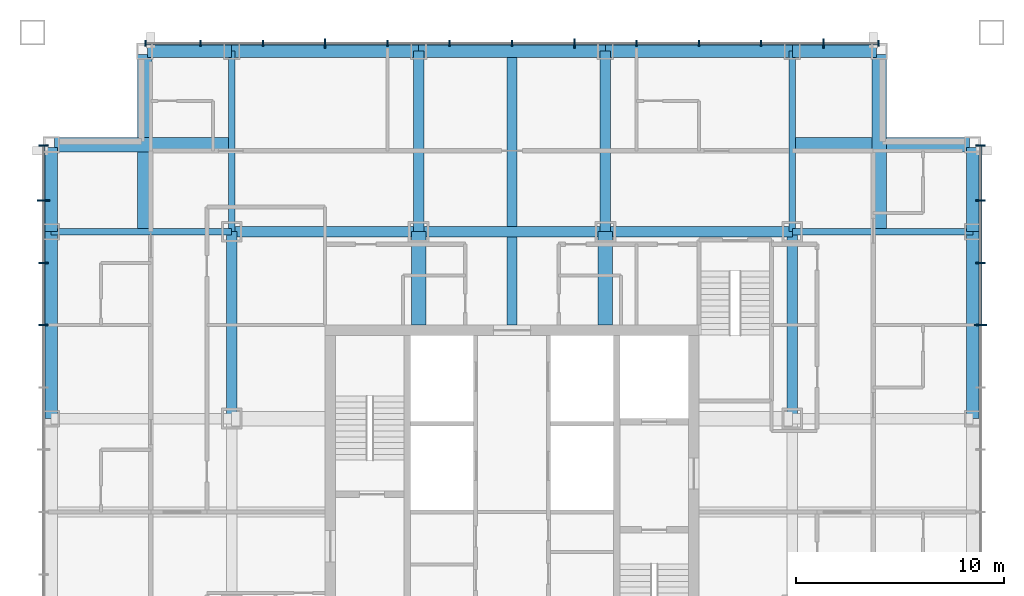
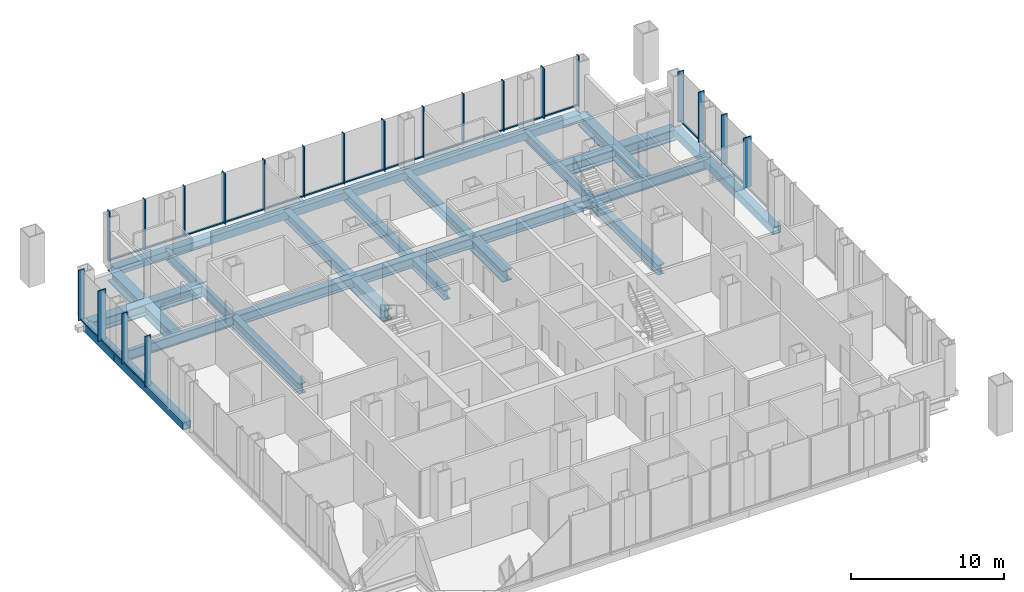
# One storey, part 4 of 11: 39 members, 27 beams, 3 elements without a shape of their own.
"""IFC4 building model written with IfcOpenShell, lengths in metres."""

from ifc_helpers import new_model, si_unit, direction, frame, origin, origin_2d, place, context, subcontext, project, spatial, rectangle, hollow_rectangle, i_section, extrude, material, layer, layer_set, material_profile, profile_set, type_object, element, aggregate, save


model = new_model("IFC4")

# Units and contexts
model_context = context("Model", 3, precision=1e-05, world=origin(), true_north=direction((0.0, 1.0)))
body_context = subcontext(model_context, "Body", "Model", "MODEL_VIEW")
ifc_project = project(units=[si_unit("LENGTHUNIT", "METRE"), si_unit("AREAUNIT", "SQUARE_METRE"), si_unit("VOLUMEUNIT", "CUBIC_METRE"), si_unit("PLANEANGLEUNIT", "RADIAN"), si_unit("MASSUNIT", "GRAM", prefix="KILO")], contexts=[model_context])

# Site, building, storey
site_placement = place(None, origin())
site = spatial("IfcSite", under=ifc_project, at=site_placement, CompositionType="ELEMENT")
building_placement = place(site_placement, origin())
building = spatial("IfcBuilding", under=site, at=building_placement, Name="Malebo Sky Hospital", CompositionType="ELEMENT")
storey_placement = place(building_placement, frame((0.0, 0.0, 205.0)))
storey = spatial("IfcBuildingStorey", under=building, at=storey_placement, Name="L49", CompositionType="ELEMENT", Elevation=205.0)

# Curtain wall, members
ifc_material_1 = material(Name="Anodised aluminium, natural silver", Category="aluminium")
ifc_layer_1 = layer(ifc_material_1, 0.25)
ifc_layer_set_1 = layer_set([ifc_layer_1], Name="WARD CURTAIN WALL NORTH AND SOUTH")
curtain_wall_type_1 = type_object("IfcCurtainWallType", Name="WARD CURTAIN WALL NORTH AND SOUTH", PredefinedType="NOTDEFINED", material=ifc_layer_set_1)
curtain_wall_1_placement = place(storey_placement, origin())
curtain_wall_1 = element("IfcCurtainWall", 1, at=curtain_wall_1_placement, inside=storey, type_object=curtain_wall_type_1, Name="NS curtain wall N", PredefinedType="NOTDEFINED")
ifc_material_profile_1 = material_profile(ifc_material_1, rectangle(XDim=0.14990234375, YDim=0.10009765625, at=origin_2d()), Name="ALUMINIUM TRANSOM 150x100")
ifc_profile_set_1 = profile_set([ifc_material_profile_1], Name="Anodised aluminium, natural silver")
member_type_1 = type_object("IfcMemberType", Name="ALUMINIUM TRANSOM 150x100", PredefinedType="USERDEFINED", material=ifc_profile_set_1)
member_1_placement = place(storey_placement, frame((42.375, 84.574951171875, 0.050048828125), z_axis=(1.0, 0.0, 0.0), x_axis=(0.0, 1.0, 0.0)))
member_1 = element("IfcMember", 2, at=member_1_placement, type_object=member_type_1, Name="Transom 1", ObjectType="TRANSOM", PredefinedType="USERDEFINED", context=body_context, shape_type="SweptSolid", body=[
    extrude(rectangle(XDim=0.14990234375, YDim=0.10009765625, at=origin_2d()), origin(), (0.0, 0.0, 1.0), 2.58740234375),
])
member_2_placement = place(storey_placement, frame((45.03759765625, 84.574951171875, 0.050048828125), z_axis=(1.0, 0.0, 0.0), x_axis=(0.0, 1.0, 0.0)))
member_2 = element("IfcMember", 3, at=member_2_placement, type_object=member_type_1, Name="Transom 2", ObjectType="TRANSOM", PredefinedType="USERDEFINED", context=body_context, shape_type="SweptSolid", body=[
    extrude(rectangle(XDim=0.14990234375, YDim=0.10009765625, at=origin_2d()), origin(), (0.0, 0.0, 1.0), 2.9248046875),
])
member_3_placement = place(storey_placement, frame((48.03759765625, 84.574951171875, 0.050048828125), z_axis=(1.0, 0.0, 0.0), x_axis=(0.0, 1.0, 0.0)))
member_3 = element("IfcMember", 4, at=member_3_placement, type_object=member_type_1, Name="Transom 3", ObjectType="TRANSOM", PredefinedType="USERDEFINED", context=body_context, shape_type="SweptSolid", body=[
    extrude(rectangle(XDim=0.14990234375, YDim=0.10009765625, at=origin_2d()), origin(), (0.0, 0.0, 1.0), 2.9248046875),
])
member_4_placement = place(storey_placement, frame((51.03759765625, 84.574951171875, 0.050048828125), z_axis=(1.0, 0.0, 0.0), x_axis=(0.0, 1.0, 0.0)))
member_4 = element("IfcMember", 5, at=member_4_placement, type_object=member_type_1, Name="Transom 4", ObjectType="TRANSOM", PredefinedType="USERDEFINED", context=body_context, shape_type="SweptSolid", body=[
    extrude(rectangle(XDim=0.14990234375, YDim=0.10009765625, at=origin_2d()), origin(), (0.0, 0.0, 1.0), 2.9248046875),
])
member_5_placement = place(storey_placement, frame((54.03759765625, 84.574951171875, 0.050048828125), z_axis=(1.0, 0.0, 0.0), x_axis=(0.0, 1.0, 0.0)))
member_5 = element("IfcMember", 6, at=member_5_placement, type_object=member_type_1, Name="Transom 5", ObjectType="TRANSOM", PredefinedType="USERDEFINED", context=body_context, shape_type="SweptSolid", body=[
    extrude(rectangle(XDim=0.14990234375, YDim=0.10009765625, at=origin_2d()), origin(), (0.0, 0.0, 1.0), 2.9248046875),
])
member_6_placement = place(storey_placement, frame((57.03759765625, 84.574951171875, 0.050048828125), z_axis=(1.0, 0.0, 0.0), x_axis=(0.0, 1.0, 0.0)))
member_6 = element("IfcMember", 7, at=member_6_placement, type_object=member_type_1, Name="Transom 6", ObjectType="TRANSOM", PredefinedType="USERDEFINED", context=body_context, shape_type="SweptSolid", body=[
    extrude(rectangle(XDim=0.14990234375, YDim=0.10009765625, at=origin_2d()), origin(), (0.0, 0.0, 1.0), 2.9248046875),
])
member_7_placement = place(storey_placement, frame((60.03759765625, 84.574951171875, 0.050048828125), z_axis=(1.0, 0.0, 0.0), x_axis=(0.0, 1.0, 0.0)))
member_7 = element("IfcMember", 8, at=member_7_placement, type_object=member_type_1, Name="Transom 7", ObjectType="TRANSOM", PredefinedType="USERDEFINED", context=body_context, shape_type="SweptSolid", body=[
    extrude(rectangle(XDim=0.14990234375, YDim=0.10009765625, at=origin_2d()), origin(), (0.0, 0.0, 1.0), 2.9248046875),
])
member_8_placement = place(storey_placement, frame((63.03759765625, 84.574951171875, 0.050048828125), z_axis=(1.0, 0.0, 0.0), x_axis=(0.0, 1.0, 0.0)))
member_8 = element("IfcMember", 9, at=member_8_placement, type_object=member_type_1, Name="Transom 8", ObjectType="TRANSOM", PredefinedType="USERDEFINED", context=body_context, shape_type="SweptSolid", body=[
    extrude(rectangle(XDim=0.14990234375, YDim=0.10009765625, at=origin_2d()), origin(), (0.0, 0.0, 1.0), 2.9248046875),
])
member_9_placement = place(storey_placement, frame((66.03759765625, 84.574951171875, 0.050048828125), z_axis=(1.0, 0.0, 0.0), x_axis=(0.0, 1.0, 0.0)))
member_9 = element("IfcMember", 10, at=member_9_placement, type_object=member_type_1, Name="Transom 9", ObjectType="TRANSOM", PredefinedType="USERDEFINED", context=body_context, shape_type="SweptSolid", body=[
    extrude(rectangle(XDim=0.14990234375, YDim=0.10009765625, at=origin_2d()), origin(), (0.0, 0.0, 1.0), 2.9248046875),
])
member_10_placement = place(storey_placement, frame((69.03759765625, 84.574951171875, 0.050048828125), z_axis=(1.0, 0.0, 0.0), x_axis=(0.0, 1.0, 0.0)))
member_10 = element("IfcMember", 11, at=member_10_placement, type_object=member_type_1, Name="Transom 10", ObjectType="TRANSOM", PredefinedType="USERDEFINED", context=body_context, shape_type="SweptSolid", body=[
    extrude(rectangle(XDim=0.14990234375, YDim=0.10009765625, at=origin_2d()), origin(), (0.0, 0.0, 1.0), 2.9248046875),
])
member_11_placement = place(storey_placement, frame((72.03759765625, 84.574951171875, 0.050048828125), z_axis=(1.0, 0.0, 0.0), x_axis=(0.0, 1.0, 0.0)))
member_11 = element("IfcMember", 12, at=member_11_placement, type_object=member_type_1, Name="Transom 11", ObjectType="TRANSOM", PredefinedType="USERDEFINED", context=body_context, shape_type="SweptSolid", body=[
    extrude(rectangle(XDim=0.14990234375, YDim=0.10009765625, at=origin_2d()), origin(), (0.0, 0.0, 1.0), 2.9248046875),
])
member_12_placement = place(storey_placement, frame((75.03759765625, 84.574951171875, 0.050048828125), z_axis=(1.0, 0.0, 0.0), x_axis=(0.0, 1.0, 0.0)))
member_12 = element("IfcMember", 13, at=member_12_placement, type_object=member_type_1, Name="Transom 12", ObjectType="TRANSOM", PredefinedType="USERDEFINED", context=body_context, shape_type="SweptSolid", body=[
    extrude(rectangle(XDim=0.14990234375, YDim=0.10009765625, at=origin_2d()), origin(), (0.0, 0.0, 1.0), 2.58740234375),
])

ifc_layer_2 = layer(ifc_material_1, 0.25)
ifc_layer_set_2 = layer_set([ifc_layer_2], Name="WARD CURTAIN WALL EAST AND WEST")
curtain_wall_type_2 = type_object("IfcCurtainWallType", Name="WARD CURTAIN WALL EAST AND WEST", PredefinedType="NOTDEFINED", material=ifc_layer_set_2)
curtain_wall_2_placement = place(storey_placement, origin())
curtain_wall_2 = element("IfcCurtainWall", 14, at=curtain_wall_2_placement, inside=storey, type_object=curtain_wall_type_2, Name="EW curtain wall W", PredefinedType="NOTDEFINED")
member_13_placement = place(storey_placement, frame((37.425048828125, 71.03759765625, 0.050048828125), z_axis=(0.0, 1.0, 0.0), x_axis=(-1.0, 0.0, 0.0)))
member_13 = element("IfcMember", 15, at=member_13_placement, type_object=member_type_1, Name="Transom 10", ObjectType="TRANSOM", PredefinedType="USERDEFINED", context=body_context, shape_type="SweptSolid", body=[
    extrude(rectangle(XDim=0.14990234375, YDim=0.10009765625, at=origin_2d()), origin(), (0.0, 0.0, 1.0), 2.9248046875),
])
member_14_placement = place(storey_placement, frame((37.425048828125, 74.03759765625, 0.050048828125), z_axis=(0.0, 1.0, 0.0), x_axis=(-1.0, 0.0, 0.0)))
member_14 = element("IfcMember", 16, at=member_14_placement, type_object=member_type_1, Name="Transom 11", ObjectType="TRANSOM", PredefinedType="USERDEFINED", context=body_context, shape_type="SweptSolid", body=[
    extrude(rectangle(XDim=0.14990234375, YDim=0.10009765625, at=origin_2d()), origin(), (0.0, 0.0, 1.0), 2.9248046875),
])
member_15_placement = place(storey_placement, frame((37.425048828125, 77.03759765625, 0.050048828125), z_axis=(0.0, 1.0, 0.0), x_axis=(-1.0, 0.0, 0.0)))
member_15 = element("IfcMember", 17, at=member_15_placement, type_object=member_type_1, Name="Transom 12", ObjectType="TRANSOM", PredefinedType="USERDEFINED", context=body_context, shape_type="SweptSolid", body=[
    extrude(rectangle(XDim=0.14990234375, YDim=0.10009765625, at=origin_2d()), origin(), (0.0, 0.0, 1.0), 2.58740234375),
])

curtain_wall_3_placement = place(storey_placement, origin())
curtain_wall_3 = element("IfcCurtainWall", 18, at=curtain_wall_3_placement, inside=storey, type_object=curtain_wall_type_2, Name="EW curtain wall E", PredefinedType="NOTDEFINED")
member_16_placement = place(storey_placement, frame((82.574951171875, 79.625, 0.050048828125), z_axis=(0.0, -1.0, 0.0), x_axis=(1.0, 0.0, 0.0)))
member_16 = element("IfcMember", 19, at=member_16_placement, type_object=member_type_1, Name="Transom 1", ObjectType="TRANSOM", PredefinedType="USERDEFINED", context=body_context, shape_type="SweptSolid", body=[
    extrude(rectangle(XDim=0.14990234375, YDim=0.10009765625, at=origin_2d()), origin(), (0.0, 0.0, 1.0), 2.58740234375),
])
member_17_placement = place(storey_placement, frame((82.574951171875, 76.96240234375, 0.050048828125), z_axis=(0.0, -1.0, 0.0), x_axis=(1.0, 0.0, 0.0)))
member_17 = element("IfcMember", 20, at=member_17_placement, type_object=member_type_1, Name="Transom 2", ObjectType="TRANSOM", PredefinedType="USERDEFINED", context=body_context, shape_type="SweptSolid", body=[
    extrude(rectangle(XDim=0.14990234375, YDim=0.10009765625, at=origin_2d()), origin(), (0.0, 0.0, 1.0), 2.9248046875),
])
member_18_placement = place(storey_placement, frame((82.574951171875, 73.96240234375, 0.050048828125), z_axis=(0.0, -1.0, 0.0), x_axis=(1.0, 0.0, 0.0)))
member_18 = element("IfcMember", 21, at=member_18_placement, type_object=member_type_1, Name="Transom 3", ObjectType="TRANSOM", PredefinedType="USERDEFINED", context=body_context, shape_type="SweptSolid", body=[
    extrude(rectangle(XDim=0.14990234375, YDim=0.10009765625, at=origin_2d()), origin(), (0.0, 0.0, 1.0), 2.9248046875),
])

# Member
ifc_material_profile_2 = material_profile(ifc_material_1, rectangle(XDim=0.074951171875, YDim=0.300048828125, at=origin_2d()), Name="CW1 ALUMINIUM FIN MULLION 75x300")
ifc_profile_set_2 = profile_set([ifc_material_profile_2], Name="Anodised aluminium, natural silver")
member_type_2 = type_object("IfcMemberType", Name="CW1 ALUMINIUM FIN MULLION 75x300", PredefinedType="MULLION", material=ifc_profile_set_2)
member_19_placement = place(storey_placement, frame((42.33740234375, 84.574951171875, 0.0), z_axis=(0.0, 0.0, 1.0), x_axis=(1.0, 0.0, 0.0)))
member_19 = element("IfcMember", 22, at=member_19_placement, type_object=member_type_2, Name="Fin mullion 1", PredefinedType="MULLION", context=body_context, shape_type="SweptSolid", body=[
    extrude(rectangle(XDim=0.074951171875, YDim=0.300048828125, at=origin_2d()), origin(), (0.0, 0.0, 1.0), 4.0),
])

member_20_placement = place(storey_placement, frame((45.0, 84.574951171875, 0.0), z_axis=(0.0, 0.0, 1.0), x_axis=(1.0, 0.0, 0.0)))
member_20 = element("IfcMember", 23, at=member_20_placement, type_object=member_type_2, Name="Fin mullion 2", PredefinedType="MULLION", context=body_context, shape_type="SweptSolid", body=[
    extrude(rectangle(XDim=0.074951171875, YDim=0.300048828125, at=origin_2d()), origin(), (0.0, 0.0, 1.0), 4.0),
])

member_21_placement = place(storey_placement, frame((48.0, 84.574951171875, 0.0), z_axis=(0.0, 0.0, 1.0), x_axis=(1.0, 0.0, 0.0)))
member_21 = element("IfcMember", 24, at=member_21_placement, type_object=member_type_2, Name="Fin mullion 3", PredefinedType="MULLION", context=body_context, shape_type="SweptSolid", body=[
    extrude(rectangle(XDim=0.074951171875, YDim=0.300048828125, at=origin_2d()), origin(), (0.0, 0.0, 1.0), 4.0),
])

member_22_placement = place(storey_placement, frame((54.0, 84.574951171875, 0.0), z_axis=(0.0, 0.0, 1.0), x_axis=(1.0, 0.0, 0.0)))
member_22 = element("IfcMember", 25, at=member_22_placement, type_object=member_type_2, Name="Fin mullion 5", PredefinedType="MULLION", context=body_context, shape_type="SweptSolid", body=[
    extrude(rectangle(XDim=0.074951171875, YDim=0.300048828125, at=origin_2d()), origin(), (0.0, 0.0, 1.0), 4.0),
])

member_23_placement = place(storey_placement, frame((57.0, 84.574951171875, 0.0), z_axis=(0.0, 0.0, 1.0), x_axis=(1.0, 0.0, 0.0)))
member_23 = element("IfcMember", 26, at=member_23_placement, type_object=member_type_2, Name="Fin mullion 6", PredefinedType="MULLION", context=body_context, shape_type="SweptSolid", body=[
    extrude(rectangle(XDim=0.074951171875, YDim=0.300048828125, at=origin_2d()), origin(), (0.0, 0.0, 1.0), 4.0),
])

member_24_placement = place(storey_placement, frame((60.0, 84.574951171875, 0.0), z_axis=(0.0, 0.0, 1.0), x_axis=(1.0, 0.0, 0.0)))
member_24 = element("IfcMember", 27, at=member_24_placement, type_object=member_type_2, Name="Fin mullion 7", PredefinedType="MULLION", context=body_context, shape_type="SweptSolid", body=[
    extrude(rectangle(XDim=0.074951171875, YDim=0.300048828125, at=origin_2d()), origin(), (0.0, 0.0, 1.0), 4.0),
])

member_25_placement = place(storey_placement, frame((66.0, 84.574951171875, 0.0), z_axis=(0.0, 0.0, 1.0), x_axis=(1.0, 0.0, 0.0)))
member_25 = element("IfcMember", 28, at=member_25_placement, type_object=member_type_2, Name="Fin mullion 9", PredefinedType="MULLION", context=body_context, shape_type="SweptSolid", body=[
    extrude(rectangle(XDim=0.074951171875, YDim=0.300048828125, at=origin_2d()), origin(), (0.0, 0.0, 1.0), 4.0),
])

member_26_placement = place(storey_placement, frame((69.0, 84.574951171875, 0.0), z_axis=(0.0, 0.0, 1.0), x_axis=(1.0, 0.0, 0.0)))
member_26 = element("IfcMember", 29, at=member_26_placement, type_object=member_type_2, Name="Fin mullion 10", PredefinedType="MULLION", context=body_context, shape_type="SweptSolid", body=[
    extrude(rectangle(XDim=0.074951171875, YDim=0.300048828125, at=origin_2d()), origin(), (0.0, 0.0, 1.0), 4.0),
])

member_27_placement = place(storey_placement, frame((72.0, 84.574951171875, 0.0), z_axis=(0.0, 0.0, 1.0), x_axis=(1.0, 0.0, 0.0)))
member_27 = element("IfcMember", 30, at=member_27_placement, type_object=member_type_2, Name="Fin mullion 11", PredefinedType="MULLION", context=body_context, shape_type="SweptSolid", body=[
    extrude(rectangle(XDim=0.074951171875, YDim=0.300048828125, at=origin_2d()), origin(), (0.0, 0.0, 1.0), 4.0),
])

member_28_placement = place(storey_placement, frame((77.66259765625, 84.574951171875, 0.0), z_axis=(0.0, 0.0, 1.0), x_axis=(1.0, 0.0, 0.0)))
member_28 = element("IfcMember", 31, at=member_28_placement, type_object=member_type_2, Name="Fin mullion 13", PredefinedType="MULLION", context=body_context, shape_type="SweptSolid", body=[
    extrude(rectangle(XDim=0.074951171875, YDim=0.300048828125, at=origin_2d()), origin(), (0.0, 0.0, 1.0), 4.0),
])

ifc_material_profile_3 = material_profile(ifc_material_1, rectangle(XDim=0.074951171875, YDim=0.449951171875, at=origin_2d()), Name="CW1 ALUMINIUM FIN MULLION 75x450")
ifc_profile_set_3 = profile_set([ifc_material_profile_3], Name="Anodised aluminium, natural silver")
member_type_3 = type_object("IfcMemberType", Name="CW1 ALUMINIUM FIN MULLION 75x450", PredefinedType="MULLION", material=ifc_profile_set_3)
member_29_placement = place(storey_placement, frame((51.0, 84.574951171875, 0.0), z_axis=(0.0, 0.0, 1.0), x_axis=(1.0, 0.0, 0.0)))
member_29 = element("IfcMember", 32, at=member_29_placement, type_object=member_type_3, Name="Fin mullion 4", PredefinedType="MULLION", context=body_context, shape_type="SweptSolid", body=[
    extrude(rectangle(XDim=0.074951171875, YDim=0.449951171875, at=origin_2d()), origin(), (0.0, 0.0, 1.0), 4.0),
])

member_30_placement = place(storey_placement, frame((63.0, 84.574951171875, 0.0), z_axis=(0.0, 0.0, 1.0), x_axis=(1.0, 0.0, 0.0)))
member_30 = element("IfcMember", 33, at=member_30_placement, type_object=member_type_3, Name="Fin mullion 8", PredefinedType="MULLION", context=body_context, shape_type="SweptSolid", body=[
    extrude(rectangle(XDim=0.074951171875, YDim=0.449951171875, at=origin_2d()), origin(), (0.0, 0.0, 1.0), 4.0),
])

member_31_placement = place(storey_placement, frame((75.0, 84.574951171875, 0.0), z_axis=(0.0, 0.0, 1.0), x_axis=(1.0, 0.0, 0.0)))
member_31 = element("IfcMember", 34, at=member_31_placement, type_object=member_type_3, Name="Fin mullion 12", PredefinedType="MULLION", context=body_context, shape_type="SweptSolid", body=[
    extrude(rectangle(XDim=0.074951171875, YDim=0.449951171875, at=origin_2d()), origin(), (0.0, 0.0, 1.0), 4.0),
])

aggregate(curtain_wall_1, [member_19, member_20, member_21, member_29, member_22, member_23, member_24, member_30, member_25, member_26, member_27, member_31, member_28, member_1, member_2, member_3, member_4, member_5, member_6, member_7, member_8, member_9, member_10, member_11, member_12])

ifc_material_profile_4 = material_profile(ifc_material_1, rectangle(XDim=0.074951171875, YDim=0.449951171875, at=origin_2d()), Name="CW2 ALUMINIUM FIN MULLION 75x450")
ifc_profile_set_4 = profile_set([ifc_material_profile_4], Name="Anodised aluminium, natural silver")
member_type_4 = type_object("IfcMemberType", Name="CW2 ALUMINIUM FIN MULLION 75x450", PredefinedType="MULLION", material=ifc_profile_set_4)
member_32_placement = place(storey_placement, frame((37.425048828125, 71.0, 0.0), z_axis=(0.0, 0.0, 1.0), x_axis=(0.0, 1.0, 0.0)))
member_32 = element("IfcMember", 35, at=member_32_placement, type_object=member_type_4, Name="Fin mullion 10", PredefinedType="MULLION", context=body_context, shape_type="SweptSolid", body=[
    extrude(rectangle(XDim=0.074951171875, YDim=0.449951171875, at=origin_2d()), origin(), (0.0, 0.0, 1.0), 4.0),
])

member_33_placement = place(storey_placement, frame((37.425048828125, 74.0, 0.0), z_axis=(0.0, 0.0, 1.0), x_axis=(0.0, 1.0, 0.0)))
member_33 = element("IfcMember", 36, at=member_33_placement, type_object=member_type_4, Name="Fin mullion 11", PredefinedType="MULLION", context=body_context, shape_type="SweptSolid", body=[
    extrude(rectangle(XDim=0.074951171875, YDim=0.449951171875, at=origin_2d()), origin(), (0.0, 0.0, 1.0), 4.0),
])

member_34_placement = place(storey_placement, frame((37.425048828125, 79.66259765625, 0.0), z_axis=(0.0, 0.0, 1.0), x_axis=(0.0, 1.0, 0.0)))
member_34 = element("IfcMember", 37, at=member_34_placement, type_object=member_type_4, Name="Fin mullion 13", PredefinedType="MULLION", context=body_context, shape_type="SweptSolid", body=[
    extrude(rectangle(XDim=0.074951171875, YDim=0.449951171875, at=origin_2d()), origin(), (0.0, 0.0, 1.0), 4.0),
])

member_35_placement = place(storey_placement, frame((82.574951171875, 79.66259765625, 0.0), z_axis=(0.0, 0.0, 1.0), x_axis=(0.0, -1.0, 0.0)))
member_35 = element("IfcMember", 38, at=member_35_placement, type_object=member_type_4, Name="Fin mullion 1", PredefinedType="MULLION", context=body_context, shape_type="SweptSolid", body=[
    extrude(rectangle(XDim=0.074951171875, YDim=0.449951171875, at=origin_2d()), origin(), (0.0, 0.0, 1.0), 4.0),
])

member_36_placement = place(storey_placement, frame((82.574951171875, 77.0, 0.0), z_axis=(0.0, 0.0, 1.0), x_axis=(0.0, -1.0, 0.0)))
member_36 = element("IfcMember", 39, at=member_36_placement, type_object=member_type_4, Name="Fin mullion 2", PredefinedType="MULLION", context=body_context, shape_type="SweptSolid", body=[
    extrude(rectangle(XDim=0.074951171875, YDim=0.449951171875, at=origin_2d()), origin(), (0.0, 0.0, 1.0), 4.0),
])

member_37_placement = place(storey_placement, frame((82.574951171875, 74.0, 0.0), z_axis=(0.0, 0.0, 1.0), x_axis=(0.0, -1.0, 0.0)))
member_37 = element("IfcMember", 40, at=member_37_placement, type_object=member_type_4, Name="Fin mullion 3", PredefinedType="MULLION", context=body_context, shape_type="SweptSolid", body=[
    extrude(rectangle(XDim=0.074951171875, YDim=0.449951171875, at=origin_2d()), origin(), (0.0, 0.0, 1.0), 4.0),
])

ifc_material_profile_5 = material_profile(ifc_material_1, rectangle(XDim=0.074951171875, YDim=0.60009765625, at=origin_2d()), Name="CW2 ALUMINIUM FIN MULLION 75x600")
ifc_profile_set_5 = profile_set([ifc_material_profile_5], Name="Anodised aluminium, natural silver")
member_type_5 = type_object("IfcMemberType", Name="CW2 ALUMINIUM FIN MULLION 75x600", PredefinedType="MULLION", material=ifc_profile_set_5)
member_38_placement = place(storey_placement, frame((37.425048828125, 77.0, 0.0), z_axis=(0.0, 0.0, 1.0), x_axis=(0.0, 1.0, 0.0)))
member_38 = element("IfcMember", 41, at=member_38_placement, type_object=member_type_5, Name="Fin mullion 12", PredefinedType="MULLION", context=body_context, shape_type="SweptSolid", body=[
    extrude(rectangle(XDim=0.074951171875, YDim=0.60009765625, at=origin_2d()), origin(), (0.0, 0.0, 1.0), 4.0),
])

aggregate(curtain_wall_2, [member_32, member_33, member_38, member_34, member_13, member_14, member_15])

member_39_placement = place(storey_placement, frame((82.574951171875, 71.0, 0.0), z_axis=(0.0, 0.0, 1.0), x_axis=(0.0, -1.0, 0.0)))
member_39 = element("IfcMember", 42, at=member_39_placement, type_object=member_type_5, Name="Fin mullion 4", PredefinedType="MULLION", context=body_context, shape_type="SweptSolid", body=[
    extrude(rectangle(XDim=0.074951171875, YDim=0.60009765625, at=origin_2d()), origin(), (0.0, 0.0, 1.0), 4.0),
])

aggregate(curtain_wall_3, [member_35, member_36, member_37, member_39, member_16, member_17, member_18])

# Beams
ifc_material_2 = material(Name="Steel S460", Category="steel")
ifc_material_profile_6 = material_profile(ifc_material_2, hollow_rectangle(XDim=0.60009765625, YDim=0.60009765625, WallThickness=0.0400390625, at=origin_2d()), Name="BOX 600x600x40")
ifc_profile_set_6 = profile_set([ifc_material_profile_6], Name="Steel S460")
beam_type_1 = type_object("IfcBeamType", Name="EDGE BEAM BOX 600x600x40", PredefinedType="BEAM", material=ifc_profile_set_6)
beam_1_placement = place(storey_placement, frame((37.800048828125, 66.5, -0.550048828125), z_axis=(0.0, 1.0, 0.0), x_axis=(-1.0, 0.0, 0.0)))
element("IfcBeam", 43, at=beam_1_placement, inside=storey, type_object=beam_type_1, Name="Beam 003 L49", PredefinedType="BEAM", context=body_context, shape_type="SweptSolid", body=[
    extrude(hollow_rectangle(XDim=0.60009765625, YDim=0.60009765625, WallThickness=0.0400390625, at=origin_2d()), origin(), (0.0, 0.0, 1.0), 9.0),
])
beam_2_placement = place(storey_placement, frame((37.800048828125, 75.5, -0.550048828125), z_axis=(0.0, 1.0, 0.0), x_axis=(-1.0, 0.0, 0.0)))
element("IfcBeam", 44, at=beam_2_placement, inside=storey, type_object=beam_type_1, Name="Beam 004 L49", PredefinedType="BEAM", context=body_context, shape_type="SweptSolid", body=[
    extrude(hollow_rectangle(XDim=0.60009765625, YDim=0.60009765625, WallThickness=0.0400390625, at=origin_2d()), origin(), (0.0, 0.0, 1.0), 4.050048828125),
])
beam_3_placement = place(storey_placement, frame((82.199951171875, 66.5, -0.550048828125), z_axis=(0.0, 1.0, 0.0), x_axis=(-1.0, 0.0, 0.0)))
element("IfcBeam", 45, at=beam_3_placement, inside=storey, type_object=beam_type_1, Name="Beam 032 L49", PredefinedType="BEAM", context=body_context, shape_type="SweptSolid", body=[
    extrude(hollow_rectangle(XDim=0.60009765625, YDim=0.60009765625, WallThickness=0.0400390625, at=origin_2d()), origin(), (0.0, 0.0, 1.0), 9.0),
])
for number, where, z_axis, x_axis, name in (
    (46, (82.199951171875, 75.5, -0.550048828125), (0.0, 1.0, 0.0), (-1.0, 0.0, 0.0), "Beam 033 L49"),
    (47, (42.449951171875, 84.199951171875, -0.550048828125), (1.0, 0.0, 0.0), (0.0, 1.0, 0.0), "Beam 063 L49"),
):
    element("IfcBeam", number, at=place(storey_placement, frame(where, z_axis=z_axis, x_axis=x_axis)), inside=storey, type_object=beam_type_1, Name=name, PredefinedType="BEAM", context=body_context, shape_type="SweptSolid", body=[
        extrude(hollow_rectangle(XDim=0.60009765625, YDim=0.60009765625, WallThickness=0.0400390625, at=origin_2d()), origin(), (0.0, 0.0, 1.0), 4.050048828125),
    ])
for number, where, z_axis, x_axis, name in (
    (48, (46.5, 84.199951171875, -0.550048828125), (1.0, 0.0, 0.0), (0.0, 1.0, 0.0), "Beam 064 L49"),
    (49, (55.5, 84.199951171875, -0.550048828125), (1.0, 0.0, 0.0), (0.0, 1.0, 0.0), "Beam 065 L49"),
    (50, (64.5, 84.199951171875, -0.550048828125), (1.0, 0.0, 0.0), (0.0, 1.0, 0.0), "Beam 066 L49"),
):
    element("IfcBeam", number, at=place(storey_placement, frame(where, z_axis=z_axis, x_axis=x_axis)), inside=storey, type_object=beam_type_1, Name=name, PredefinedType="BEAM", context=body_context, shape_type="SweptSolid", body=[
        extrude(hollow_rectangle(XDim=0.60009765625, YDim=0.60009765625, WallThickness=0.0400390625, at=origin_2d()), origin(), (0.0, 0.0, 1.0), 9.0),
    ])
beam_4_placement = place(storey_placement, frame((73.5, 84.199951171875, -0.550048828125), z_axis=(1.0, 0.0, 0.0), x_axis=(0.0, 1.0, 0.0)))
element("IfcBeam", 51, at=beam_4_placement, inside=storey, type_object=beam_type_1, Name="Beam 067 L49", PredefinedType="BEAM", context=body_context, shape_type="SweptSolid", body=[
    extrude(hollow_rectangle(XDim=0.60009765625, YDim=0.60009765625, WallThickness=0.0400390625, at=origin_2d()), origin(), (0.0, 0.0, 1.0), 4.050048828125),
])
ifc_material_3 = material(Name="Steel S355", Category="steel")
ifc_material_profile_7 = material_profile(ifc_material_3, i_section(OverallWidth=0.5, OverallDepth=0.800048828125, WebThickness=0.030029296875, FlangeThickness=0.050048828125, at=origin_2d()), Name="PG 800x500x30x50")
ifc_profile_set_7 = profile_set([ifc_material_profile_7], Name="Steel S355")
beam_type_2 = type_object("IfcBeamType", Name="FLOOR BEAM PG 800x500x30x50", PredefinedType="BEAM", material=ifc_profile_set_7)
beam_5_placement = place(storey_placement, frame((46.5, 66.5, -0.64990234375), z_axis=(0.0, 1.0, 0.0), x_axis=(-1.0, 0.0, 0.0)))
element("IfcBeam", 52, at=beam_5_placement, inside=storey, type_object=beam_type_2, Name="Beam 010 L49", PredefinedType="BEAM", context=body_context, shape_type="SweptSolid", body=[
    extrude(i_section(OverallWidth=0.5, OverallDepth=0.800048828125, WebThickness=0.030029296875, FlangeThickness=0.050048828125, at=origin_2d()), origin(), (0.0, 0.0, 1.0), 9.0),
])
beam_6_placement = place(storey_placement, frame((55.5, 75.5, -0.64990234375), z_axis=(0.0, 1.0, 0.0), x_axis=(-1.0, 0.0, 0.0)))
element("IfcBeam", 53, at=beam_6_placement, inside=storey, type_object=beam_type_2, Name="Beam 015 L49", PredefinedType="BEAM", context=body_context, shape_type="SweptSolid", body=[
    extrude(i_section(OverallWidth=0.5, OverallDepth=0.800048828125, WebThickness=0.030029296875, FlangeThickness=0.050048828125, at=origin_2d()), origin(), (0.0, 0.0, 1.0), 8.699951171875),
])
beam_7_placement = place(storey_placement, frame((60.0, 71.0, -0.64990234375), z_axis=(0.0, 1.0, 0.0), x_axis=(-1.0, 0.0, 0.0)))
element("IfcBeam", 54, at=beam_7_placement, inside=storey, type_object=beam_type_2, Name="Beam 017 L49", PredefinedType="BEAM", context=body_context, shape_type="SweptSolid", body=[
    extrude(i_section(OverallWidth=0.5, OverallDepth=0.800048828125, WebThickness=0.030029296875, FlangeThickness=0.050048828125, at=origin_2d()), origin(), (0.0, 0.0, 1.0), 13.199951171875),
])
beam_8_placement = place(storey_placement, frame((64.5, 75.5, -0.64990234375), z_axis=(0.0, 1.0, 0.0), x_axis=(-1.0, 0.0, 0.0)))
element("IfcBeam", 55, at=beam_8_placement, inside=storey, type_object=beam_type_2, Name="Beam 021 L49", PredefinedType="BEAM", context=body_context, shape_type="SweptSolid", body=[
    extrude(i_section(OverallWidth=0.5, OverallDepth=0.800048828125, WebThickness=0.030029296875, FlangeThickness=0.050048828125, at=origin_2d()), origin(), (0.0, 0.0, 1.0), 8.699951171875),
])
for number, where, z_axis, x_axis, name in (
    (56, (73.5, 66.5, -0.64990234375), (0.0, 1.0, 0.0), (-1.0, 0.0, 0.0), "Beam 025 L49"),
    (57, (46.5, 75.5, -0.64990234375), (1.0, 0.0, 0.0), (0.0, 1.0, 0.0), "Beam 057 L49"),
    (58, (64.5, 75.5, -0.64990234375), (1.0, 0.0, 0.0), (0.0, 1.0, 0.0), "Beam 059 L49"),
):
    element("IfcBeam", number, at=place(storey_placement, frame(where, z_axis=z_axis, x_axis=x_axis)), inside=storey, type_object=beam_type_2, Name=name, PredefinedType="BEAM", context=body_context, shape_type="SweptSolid", body=[
        extrude(i_section(OverallWidth=0.5, OverallDepth=0.800048828125, WebThickness=0.030029296875, FlangeThickness=0.050048828125, at=origin_2d()), origin(), (0.0, 0.0, 1.0), 9.0),
    ])
ifc_material_profile_8 = material_profile(ifc_material_3, i_section(OverallWidth=0.699951171875, OverallDepth=0.89990234375, WebThickness=0.0400390625, FlangeThickness=0.070068359375, at=origin_2d()), Name="PG 900x700x40x70")
ifc_profile_set_8 = profile_set([ifc_material_profile_8], Name="Steel S355")
beam_type_3 = type_object("IfcBeamType", Name="FLOOR BEAM PG 900x700x40x70", PredefinedType="BEAM", material=ifc_profile_set_8)
beam_9_placement = place(storey_placement, frame((42.300048828125, 75.5, -0.699951171875), z_axis=(0.0, 1.0, 0.0), x_axis=(-1.0, 0.0, 0.0)))
element("IfcBeam", 59, at=beam_9_placement, inside=storey, type_object=beam_type_3, Name="Beam 006 L49", PredefinedType="BEAM", context=body_context, shape_type="SweptSolid", body=[
    extrude(i_section(OverallWidth=0.699951171875, OverallDepth=0.89990234375, WebThickness=0.0400390625, FlangeThickness=0.070068359375, at=origin_2d()), origin(), (0.0, 0.0, 1.0), 8.550048828125),
])
for number, where, z_axis, x_axis, name in (
    (60, (55.5, 71.0, -0.699951171875), (0.0, 1.0, 0.0), (-1.0, 0.0, 0.0), "Beam 014 L49"),
    (61, (64.5, 71.0, -0.699951171875), (0.0, 1.0, 0.0), (-1.0, 0.0, 0.0), "Beam 020 L49"),
):
    element("IfcBeam", number, at=place(storey_placement, frame(where, z_axis=z_axis, x_axis=x_axis)), inside=storey, type_object=beam_type_3, Name=name, PredefinedType="BEAM", context=body_context, shape_type="SweptSolid", body=[
        extrude(i_section(OverallWidth=0.699951171875, OverallDepth=0.89990234375, WebThickness=0.0400390625, FlangeThickness=0.070068359375, at=origin_2d()), origin(), (0.0, 0.0, 1.0), 4.5),
    ])
for number, where, z_axis, x_axis, name in (
    (62, (77.699951171875, 75.5, -0.699951171875), (0.0, 1.0, 0.0), (-1.0, 0.0, 0.0), "Beam 028 L49"),
    (63, (37.949951171875, 79.699951171875, -0.699951171875), (1.0, 0.0, 0.0), (0.0, 1.0, 0.0), "Beam 061 L49"),
    (64, (73.5, 79.699951171875, -0.699951171875), (1.0, 0.0, 0.0), (0.0, 1.0, 0.0), "Beam 062 L49"),
):
    element("IfcBeam", number, at=place(storey_placement, frame(where, z_axis=z_axis, x_axis=x_axis)), inside=storey, type_object=beam_type_3, Name=name, PredefinedType="BEAM", context=body_context, shape_type="SweptSolid", body=[
        extrude(i_section(OverallWidth=0.699951171875, OverallDepth=0.89990234375, WebThickness=0.0400390625, FlangeThickness=0.070068359375, at=origin_2d()), origin(), (0.0, 0.0, 1.0), 8.550048828125),
    ])
ifc_material_profile_9 = material_profile(ifc_material_3, i_section(OverallWidth=0.300048828125, OverallDepth=0.800048828125, WebThickness=0.017578125, FlangeThickness=0.032958984375, FilletRadius=0.030029296875, at=origin_2d()), Name="HEB 800")
ifc_profile_set_9 = profile_set([ifc_material_profile_9], Name="Steel S355")
beam_type_4 = type_object("IfcBeamType", Name="FLOOR GIRDER HEB 800", PredefinedType="BEAM", material=ifc_profile_set_9)
for number, where, z_axis, x_axis, name in (
    (65, (46.5, 75.5, -0.64990234375), (0.0, 1.0, 0.0), (-1.0, 0.0, 0.0), "Beam 011 L49"),
    (66, (73.5, 75.5, -0.64990234375), (0.0, 1.0, 0.0), (-1.0, 0.0, 0.0), "Beam 026 L49"),
    (67, (37.800048828125, 75.5, -0.64990234375), (1.0, 0.0, 0.0), (0.0, 1.0, 0.0), "Beam 056 L49"),
    (68, (73.5, 75.5, -0.64990234375), (1.0, 0.0, 0.0), (0.0, 1.0, 0.0), "Beam 060 L49"),
):
    element("IfcBeam", number, at=place(storey_placement, frame(where, z_axis=z_axis, x_axis=x_axis)), inside=storey, type_object=beam_type_4, Name=name, PredefinedType="BEAM", context=body_context, shape_type="SweptSolid", body=[
        extrude(i_section(OverallWidth=0.300048828125, OverallDepth=0.800048828125, WebThickness=0.017578125, FlangeThickness=0.032958984375, FilletRadius=0.030029296875, at=origin_2d()), origin(), (0.0, 0.0, 1.0), 8.699951171875),
    ])
ifc_material_profile_10 = material_profile(ifc_material_3, i_section(OverallWidth=0.5, OverallDepth=0.800048828125, WebThickness=0.030029296875, FlangeThickness=0.050048828125, at=origin_2d()), Name="PG 800x500x30x50")
ifc_profile_set_10 = profile_set([ifc_material_profile_10], Name="Steel S355")
beam_type_5 = type_object("IfcBeamType", Name="RING GIRDER PG 800x500x30x50", PredefinedType="BEAM", material=ifc_profile_set_10)
beam_10_placement = place(storey_placement, frame((55.5, 75.5, -0.64990234375), z_axis=(1.0, 0.0, 0.0), x_axis=(0.0, 1.0, 0.0)))
element("IfcBeam", 69, at=beam_10_placement, inside=storey, type_object=beam_type_5, Name="Beam 058 L49", PredefinedType="BEAM", context=body_context, shape_type="SweptSolid", body=[
    extrude(i_section(OverallWidth=0.5, OverallDepth=0.800048828125, WebThickness=0.030029296875, FlangeThickness=0.050048828125, at=origin_2d()), origin(), (0.0, 0.0, 1.0), 9.0),
])

save(model, "model.ifc")
